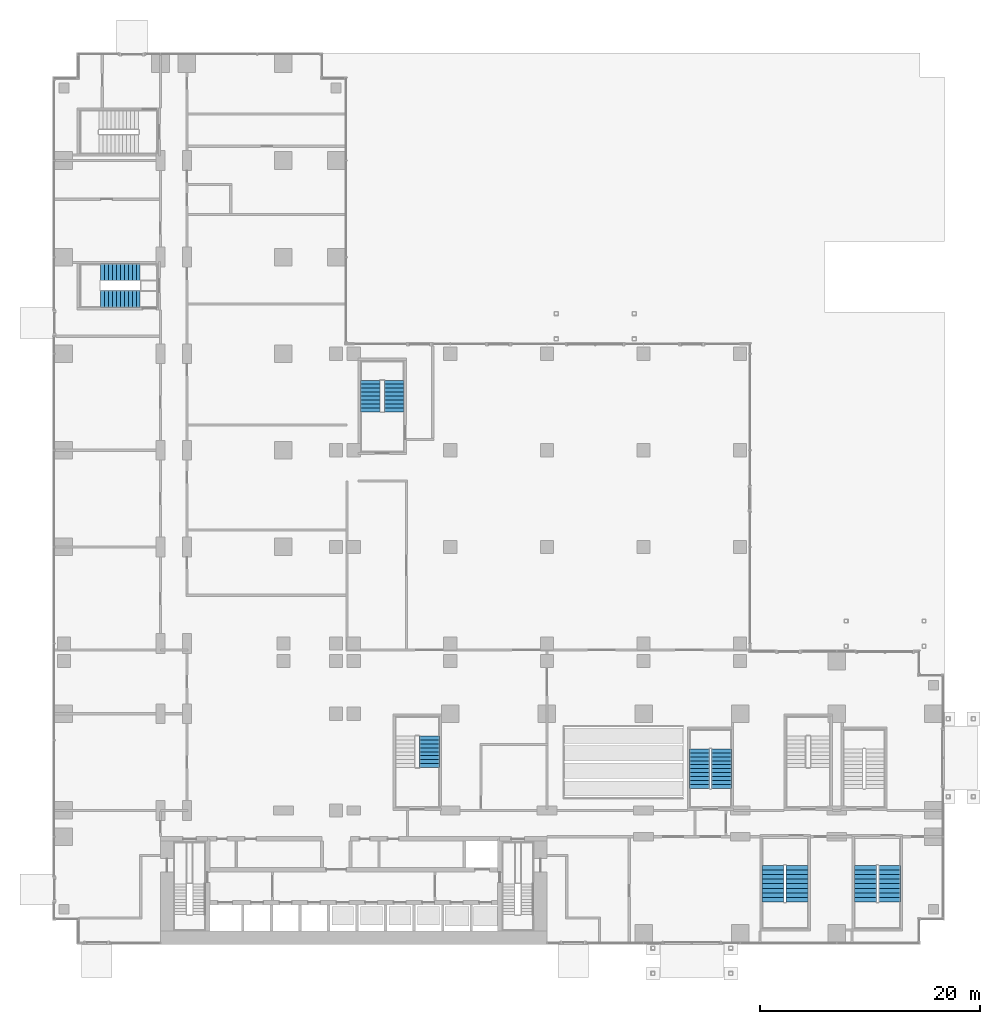
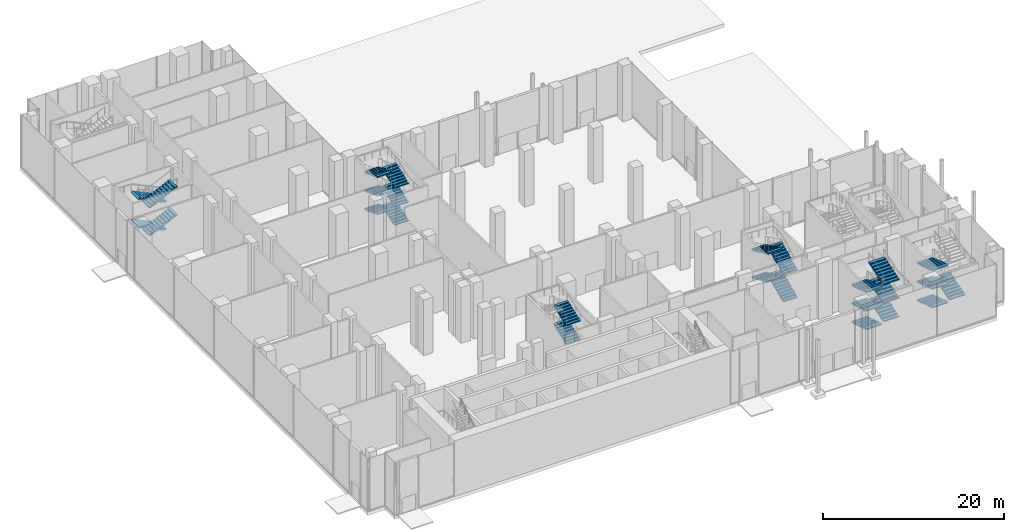
# One storey, part 30 of 41: 26 stair flights, 6 elements without a shape of their own.
"""IFC4 building model written with IfcOpenShell, lengths in metres."""

from ifc_helpers import new_model, si_unit, direction, frame, origin, place, context, subcontext, project, spatial, polyline, outline, extrude, material, type_object, element, aggregate, save


model = new_model("IFC4")

# Units and contexts
model_context = context("Model", 3, precision=1e-05, world=origin(), true_north=direction((0.0, 1.0)))
body_context = subcontext(model_context, "Body", "Model", "MODEL_VIEW")
ifc_project = project(units=[si_unit("LENGTHUNIT", "METRE"), si_unit("AREAUNIT", "SQUARE_METRE"), si_unit("VOLUMEUNIT", "CUBIC_METRE"), si_unit("PLANEANGLEUNIT", "RADIAN"), si_unit("MASSUNIT", "GRAM", prefix="KILO")], contexts=[model_context])

# Site, building, storey
site_placement = place(None, origin())
site = spatial("IfcSite", under=ifc_project, at=site_placement, CompositionType="ELEMENT")
building_placement = place(site_placement, origin())
building = spatial("IfcBuilding", under=site, at=building_placement, Name="Kemantara Hotel Tower", CompositionType="ELEMENT")
storey_placement = place(building_placement, origin())
storey = spatial("IfcBuildingStorey", under=building, at=storey_placement, Name="L00", CompositionType="ELEMENT", Elevation=0.0)

# Stair, stair flights
ifc_material = material(Name="Concrete fc 40 MPa", Category="concrete")
stair_type_1 = type_object("IfcStairType", Name="Stair 1550 wide 44 risers of 170 x 360 mm", PredefinedType="HALF_TURN_STAIR", material=ifc_material)
stair_1_placement = place(storey_placement, origin())
stair_1 = element("IfcStair", 1, at=stair_1_placement, inside=storey, type_object=stair_type_1, Name="L00 Exit stair ST4", PredefinedType="HALF_TURN_STAIR")
stair_flight_type_1 = type_object("IfcStairFlightType", Name="Stair flight 1550 wide 170 x 360 mm", PredefinedType="STRAIGHT", material=ifc_material)
stair_flight_1_placement = place(storey_placement, frame((7.949951171875, 61.22509765625, 0.0), z_axis=(0.0, 0.0, 1.0), x_axis=(-1.0, 0.0, 0.0)))
stair_flight_1 = element("IfcStairFlight", 2, at=stair_flight_1_placement, type_object=stair_flight_type_1, Name="ST4 flight 1", NumberOfRisers=11, NumberOfTreads=10, PredefinedType="STRAIGHT", RiserHeight=0.170454545, TreadLength=0.36, context=body_context, shape_type="SweptSolid", body=[
    extrude(outline(polyline([(0.0, 0.0), (0.0, 0.17041015625), (0.360107421875, 0.17041015625), (0.360107421875, 0.3408203125), (0.719970703125, 0.3408203125), (0.719970703125, 0.511474609375), (1.080078125, 0.511474609375), (1.080078125, 0.681884765625), (1.43994140625, 0.681884765625), (1.43994140625, 0.852294921875), (1.800048828125, 0.852294921875), (1.800048828125, 1.022705078125), (2.159912109375, 1.022705078125), (2.159912109375, 1.193115234375), (2.52001953125, 1.193115234375), (2.52001953125, 1.363525390625), (2.8798828125, 1.363525390625), (2.8798828125, 1.5341796875), (3.239990234375, 1.5341796875), (3.239990234375, 1.70458984375), (3.60009765625, 1.70458984375), (3.60009765625, 1.875), (3.60009765625, 1.53857421875), (0.350341796875, 0.0), (0.0, 0.0)])), frame((0.0, 0.77490234375, 0.0), z_axis=(0.0, -1.0, 0.0), x_axis=(1.0, 0.0, 0.0)), (0.0, 0.0, 1.0), 1.550048828125),
])
stair_flight_2_placement = place(storey_placement, frame((4.35009765625, 58.77490234375, 1.875), z_axis=(0.0, 0.0, 1.0), x_axis=(1.0, 0.0, 0.0)))
stair_flight_2 = element("IfcStairFlight", 3, at=stair_flight_2_placement, type_object=stair_flight_type_1, Name="ST4 flight 2", NumberOfRisers=11, NumberOfTreads=10, PredefinedType="STRAIGHT", RiserHeight=0.170454545, TreadLength=0.36, context=body_context, shape_type="SweptSolid", body=[
    extrude(outline(polyline([(0.0, 0.0), (0.0, 0.17041015625), (0.360107421875, 0.17041015625), (0.360107421875, 0.3408203125), (0.719970703125, 0.3408203125), (0.719970703125, 0.511474609375), (1.080078125, 0.511474609375), (1.080078125, 0.681884765625), (1.43994140625, 0.681884765625), (1.43994140625, 0.852294921875), (1.800048828125, 0.852294921875), (1.800048828125, 1.022705078125), (2.159912109375, 1.022705078125), (2.159912109375, 1.193115234375), (2.52001953125, 1.193115234375), (2.52001953125, 1.363525390625), (2.8798828125, 1.363525390625), (2.8798828125, 1.5341796875), (3.239990234375, 1.5341796875), (3.239990234375, 1.70458984375), (3.60009765625, 1.70458984375), (3.60009765625, 1.875), (3.60009765625, 1.53857421875), (0.350341796875, 0.0), (0.0, 0.0)])), frame((0.0, 0.77490234375, 0.0), z_axis=(0.0, -1.0, 0.0), x_axis=(1.0, 0.0, 0.0)), (0.0, 0.0, 1.0), 1.550048828125),
])
stair_flight_3_placement = place(storey_placement, frame((7.949951171875, 61.22509765625, 3.75), z_axis=(0.0, 0.0, 1.0), x_axis=(-1.0, 0.0, 0.0)))
stair_flight_3 = element("IfcStairFlight", 4, at=stair_flight_3_placement, type_object=stair_flight_type_1, Name="ST4 flight 3", NumberOfRisers=11, NumberOfTreads=10, PredefinedType="STRAIGHT", RiserHeight=0.170454545, TreadLength=0.36, context=body_context, shape_type="SweptSolid", body=[
    extrude(outline(polyline([(0.0, 0.0), (0.0, 0.17041015625), (0.360107421875, 0.17041015625), (0.360107421875, 0.3408203125), (0.719970703125, 0.3408203125), (0.719970703125, 0.511474609375), (1.080078125, 0.511474609375), (1.080078125, 0.681884765625), (1.43994140625, 0.681884765625), (1.43994140625, 0.852294921875), (1.800048828125, 0.852294921875), (1.800048828125, 1.022705078125), (2.159912109375, 1.022705078125), (2.159912109375, 1.193115234375), (2.52001953125, 1.193115234375), (2.52001953125, 1.363525390625), (2.8798828125, 1.363525390625), (2.8798828125, 1.5341796875), (3.239990234375, 1.5341796875), (3.239990234375, 1.70458984375), (3.60009765625, 1.70458984375), (3.60009765625, 1.875), (3.60009765625, 1.53857421875), (0.350341796875, 0.0), (0.0, 0.0)])), frame((0.0, 0.77490234375, 0.0), z_axis=(0.0, -1.0, 0.0), x_axis=(1.0, 0.0, 0.0)), (0.0, 0.0, 1.0), 1.550048828125),
])
stair_flight_4_placement = place(storey_placement, frame((4.35009765625, 58.77490234375, 5.625), z_axis=(0.0, 0.0, 1.0), x_axis=(1.0, 0.0, 0.0)))
stair_flight_4 = element("IfcStairFlight", 5, at=stair_flight_4_placement, type_object=stair_flight_type_1, Name="ST4 flight 4", NumberOfRisers=11, NumberOfTreads=10, PredefinedType="STRAIGHT", RiserHeight=0.170454545, TreadLength=0.36, context=body_context, shape_type="SweptSolid", body=[
    extrude(outline(polyline([(0.0, 0.0), (0.0, 0.17041015625), (0.360107421875, 0.17041015625), (0.360107421875, 0.3408203125), (0.719970703125, 0.3408203125), (0.719970703125, 0.511474609375), (1.080078125, 0.511474609375), (1.080078125, 0.681884765625), (1.43994140625, 0.681884765625), (1.43994140625, 0.852294921875), (1.800048828125, 0.852294921875), (1.800048828125, 1.022705078125), (2.159912109375, 1.022705078125), (2.159912109375, 1.193115234375), (2.52001953125, 1.193115234375), (2.52001953125, 1.363525390625), (2.8798828125, 1.363525390625), (2.8798828125, 1.5341796875), (3.239990234375, 1.5341796875), (3.239990234375, 1.70458984375), (3.60009765625, 1.70458984375), (3.60009765625, 1.875), (3.60009765625, 1.53857421875), (0.350341796875, 0.0), (0.0, 0.0)])), frame((0.0, 0.77490234375, 0.0), z_axis=(0.0, -1.0, 0.0), x_axis=(1.0, 0.0, 0.0)), (0.0, 0.0, 1.0), 1.550048828125),
])
aggregate(stair_1, [stair_flight_1, stair_flight_2, stair_flight_3, stair_flight_4])

stair_type_2 = type_object("IfcStairType", Name="Stair 1800 wide 54 risers of 139 x 360 mm", PredefinedType="HALF_TURN_STAIR", material=ifc_material)
stair_2_placement = place(storey_placement, origin())
stair_2 = element("IfcStair", 6, at=stair_2_placement, inside=storey, type_object=stair_type_2, Name="L00 Stair PS2", PredefinedType="HALF_TURN_STAIR")
stair_flight_type_2 = type_object("IfcStairFlightType", Name="Stair flight 1800 wide 139 x 360 mm", PredefinedType="STRAIGHT", material=ifc_material)
stair_flight_5_placement = place(storey_placement, frame((31.10009765625, 48.5, 0.0), z_axis=(0.0, 0.0, 1.0), x_axis=(0.0, 1.0, 0.0)))
stair_flight_5 = element("IfcStairFlight", 7, at=stair_flight_5_placement, type_object=stair_flight_type_2, Name="PS2 flight 1", NumberOfRisers=9, NumberOfTreads=8, PredefinedType="STRAIGHT", RiserHeight=0.138888889, TreadLength=0.36, context=body_context, shape_type="SweptSolid", body=[
    extrude(outline(polyline([(0.0, 0.0), (0.0, 0.138916015625), (0.360107421875, 0.138916015625), (0.360107421875, 0.27783203125), (0.719970703125, 0.27783203125), (0.719970703125, 0.416748046875), (1.080078125, 0.416748046875), (1.080078125, 0.5556640625), (1.43994140625, 0.5556640625), (1.43994140625, 0.6943359375), (1.800048828125, 0.6943359375), (1.800048828125, 0.833251953125), (2.159912109375, 0.833251953125), (2.159912109375, 0.97216796875), (2.52001953125, 0.97216796875), (2.52001953125, 1.111083984375), (2.8798828125, 1.111083984375), (2.8798828125, 1.25), (2.8798828125, 0.950439453125), (0.41650390625, 0.0), (0.0, 0.0)])), frame((0.0, 0.89990234375, 0.0), z_axis=(0.0, -1.0, 0.0), x_axis=(1.0, 0.0, 0.0)), (0.0, 0.0, 1.0), 1.800048828125),
])
stair_flight_6_placement = place(storey_placement, frame((28.89990234375, 51.3798828125, 1.25), z_axis=(0.0, 0.0, 1.0), x_axis=(0.0, -1.0, 0.0)))
stair_flight_6 = element("IfcStairFlight", 8, at=stair_flight_6_placement, type_object=stair_flight_type_2, Name="PS2 flight 2", NumberOfRisers=9, NumberOfTreads=8, PredefinedType="STRAIGHT", RiserHeight=0.138888889, TreadLength=0.36, context=body_context, shape_type="SweptSolid", body=[
    extrude(outline(polyline([(0.0, 0.0), (0.0, 0.138916015625), (0.360107421875, 0.138916015625), (0.360107421875, 0.27783203125), (0.719970703125, 0.27783203125), (0.719970703125, 0.416748046875), (1.080078125, 0.416748046875), (1.080078125, 0.5556640625), (1.43994140625, 0.5556640625), (1.43994140625, 0.6943359375), (1.800048828125, 0.6943359375), (1.800048828125, 0.833251953125), (2.159912109375, 0.833251953125), (2.159912109375, 0.97216796875), (2.52001953125, 0.97216796875), (2.52001953125, 1.111083984375), (2.8798828125, 1.111083984375), (2.8798828125, 1.25), (2.8798828125, 0.950439453125), (0.41650390625, 0.0), (0.0, 0.0)])), frame((0.0, 0.89990234375, 0.0), z_axis=(0.0, -1.0, 0.0), x_axis=(1.0, 0.0, 0.0)), (0.0, 0.0, 1.0), 1.800048828125),
])
stair_flight_7_placement = place(storey_placement, frame((31.10009765625, 48.5, 2.5), z_axis=(0.0, 0.0, 1.0), x_axis=(0.0, 1.0, 0.0)))
stair_flight_7 = element("IfcStairFlight", 9, at=stair_flight_7_placement, type_object=stair_flight_type_2, Name="PS2 flight 3", NumberOfRisers=9, NumberOfTreads=8, PredefinedType="STRAIGHT", RiserHeight=0.138888889, TreadLength=0.36, context=body_context, shape_type="SweptSolid", body=[
    extrude(outline(polyline([(0.0, 0.0), (0.0, 0.138916015625), (0.360107421875, 0.138916015625), (0.360107421875, 0.27783203125), (0.719970703125, 0.27783203125), (0.719970703125, 0.416748046875), (1.080078125, 0.416748046875), (1.080078125, 0.5556640625), (1.43994140625, 0.5556640625), (1.43994140625, 0.6943359375), (1.800048828125, 0.6943359375), (1.800048828125, 0.833251953125), (2.159912109375, 0.833251953125), (2.159912109375, 0.97216796875), (2.52001953125, 0.97216796875), (2.52001953125, 1.111083984375), (2.8798828125, 1.111083984375), (2.8798828125, 1.25), (2.8798828125, 0.950439453125), (0.41650390625, 0.0), (0.0, 0.0)])), frame((0.0, 0.89990234375, 0.0), z_axis=(0.0, -1.0, 0.0), x_axis=(1.0, 0.0, 0.0)), (0.0, 0.0, 1.0), 1.800048828125),
])
stair_flight_8_placement = place(storey_placement, frame((28.89990234375, 51.3798828125, 3.75), z_axis=(0.0, 0.0, 1.0), x_axis=(0.0, -1.0, 0.0)))
stair_flight_8 = element("IfcStairFlight", 10, at=stair_flight_8_placement, type_object=stair_flight_type_2, Name="PS2 flight 4", NumberOfRisers=9, NumberOfTreads=8, PredefinedType="STRAIGHT", RiserHeight=0.138888889, TreadLength=0.36, context=body_context, shape_type="SweptSolid", body=[
    extrude(outline(polyline([(0.0, 0.0), (0.0, 0.138916015625), (0.360107421875, 0.138916015625), (0.360107421875, 0.27783203125), (0.719970703125, 0.27783203125), (0.719970703125, 0.416748046875), (1.080078125, 0.416748046875), (1.080078125, 0.5556640625), (1.43994140625, 0.5556640625), (1.43994140625, 0.6943359375), (1.800048828125, 0.6943359375), (1.800048828125, 0.833251953125), (2.159912109375, 0.833251953125), (2.159912109375, 0.97216796875), (2.52001953125, 0.97216796875), (2.52001953125, 1.111083984375), (2.8798828125, 1.111083984375), (2.8798828125, 1.25), (2.8798828125, 0.950439453125), (0.41650390625, 0.0), (0.0, 0.0)])), frame((0.0, 0.89990234375, 0.0), z_axis=(0.0, -1.0, 0.0), x_axis=(1.0, 0.0, 0.0)), (0.0, 0.0, 1.0), 1.800048828125),
])
stair_flight_9_placement = place(storey_placement, frame((31.10009765625, 48.5, 5.0), z_axis=(0.0, 0.0, 1.0), x_axis=(0.0, 1.0, 0.0)))
stair_flight_9 = element("IfcStairFlight", 11, at=stair_flight_9_placement, type_object=stair_flight_type_2, Name="PS2 flight 5", NumberOfRisers=9, NumberOfTreads=8, PredefinedType="STRAIGHT", RiserHeight=0.138888889, TreadLength=0.36, context=body_context, shape_type="SweptSolid", body=[
    extrude(outline(polyline([(0.0, 0.0), (0.0, 0.138916015625), (0.360107421875, 0.138916015625), (0.360107421875, 0.27783203125), (0.719970703125, 0.27783203125), (0.719970703125, 0.416748046875), (1.080078125, 0.416748046875), (1.080078125, 0.5556640625), (1.43994140625, 0.5556640625), (1.43994140625, 0.6943359375), (1.800048828125, 0.6943359375), (1.800048828125, 0.833251953125), (2.159912109375, 0.833251953125), (2.159912109375, 0.97216796875), (2.52001953125, 0.97216796875), (2.52001953125, 1.111083984375), (2.8798828125, 1.111083984375), (2.8798828125, 1.25), (2.8798828125, 0.950439453125), (0.41650390625, 0.0), (0.0, 0.0)])), frame((0.0, 0.89990234375, 0.0), z_axis=(0.0, -1.0, 0.0), x_axis=(1.0, 0.0, 0.0)), (0.0, 0.0, 1.0), 1.800048828125),
])
stair_flight_10_placement = place(storey_placement, frame((28.89990234375, 51.3798828125, 6.25), z_axis=(0.0, 0.0, 1.0), x_axis=(0.0, -1.0, 0.0)))
stair_flight_10 = element("IfcStairFlight", 12, at=stair_flight_10_placement, type_object=stair_flight_type_2, Name="PS2 flight 6", NumberOfRisers=9, NumberOfTreads=8, PredefinedType="STRAIGHT", RiserHeight=0.138888889, TreadLength=0.36, context=body_context, shape_type="SweptSolid", body=[
    extrude(outline(polyline([(0.0, 0.0), (0.0, 0.138916015625), (0.360107421875, 0.138916015625), (0.360107421875, 0.27783203125), (0.719970703125, 0.27783203125), (0.719970703125, 0.416748046875), (1.080078125, 0.416748046875), (1.080078125, 0.5556640625), (1.43994140625, 0.5556640625), (1.43994140625, 0.6943359375), (1.800048828125, 0.6943359375), (1.800048828125, 0.833251953125), (2.159912109375, 0.833251953125), (2.159912109375, 0.97216796875), (2.52001953125, 0.97216796875), (2.52001953125, 1.111083984375), (2.8798828125, 1.111083984375), (2.8798828125, 1.25), (2.8798828125, 0.950439453125), (0.41650390625, 0.0), (0.0, 0.0)])), frame((0.0, 0.89990234375, 0.0), z_axis=(0.0, -1.0, 0.0), x_axis=(1.0, 0.0, 0.0)), (0.0, 0.0, 1.0), 1.800048828125),
])
aggregate(stair_2, [stair_flight_5, stair_flight_6, stair_flight_7, stair_flight_8, stair_flight_9, stair_flight_10])

stair_3_placement = place(storey_placement, origin())
stair_3 = element("IfcStair", 13, at=stair_3_placement, inside=storey, type_object=stair_type_2, Name="L00 Stair PS3", PredefinedType="HALF_TURN_STAIR")
stair_flight_11_placement = place(storey_placement, frame((34.300048828125, 16.10009765625, 2.5), z_axis=(0.0, 0.0, 1.0), x_axis=(0.0, 1.0, 0.0)))
stair_flight_11 = element("IfcStairFlight", 14, at=stair_flight_11_placement, type_object=stair_flight_type_2, Name="PS3 flight 3", NumberOfRisers=9, NumberOfTreads=8, PredefinedType="STRAIGHT", RiserHeight=0.138888889, TreadLength=0.36, context=body_context, shape_type="SweptSolid", body=[
    extrude(outline(polyline([(0.0, 0.0), (0.0, 0.138916015625), (0.360107421875, 0.138916015625), (0.360107421875, 0.27783203125), (0.719970703125, 0.27783203125), (0.719970703125, 0.416748046875), (1.080078125, 0.416748046875), (1.080078125, 0.5556640625), (1.43994140625, 0.5556640625), (1.43994140625, 0.6943359375), (1.800048828125, 0.6943359375), (1.800048828125, 0.833251953125), (2.159912109375, 0.833251953125), (2.159912109375, 0.97216796875), (2.52001953125, 0.97216796875), (2.52001953125, 1.111083984375), (2.8798828125, 1.111083984375), (2.8798828125, 1.25), (2.8798828125, 0.950439453125), (0.41650390625, 0.0), (0.0, 0.0)])), frame((0.0, 0.89990234375, 0.0), z_axis=(0.0, -1.0, 0.0), x_axis=(1.0, 0.0, 0.0)), (0.0, 0.0, 1.0), 1.800048828125),
])
stair_flight_12_placement = place(storey_placement, frame((34.300048828125, 16.10009765625, 5.0), z_axis=(0.0, 0.0, 1.0), x_axis=(0.0, 1.0, 0.0)))
stair_flight_12 = element("IfcStairFlight", 15, at=stair_flight_12_placement, type_object=stair_flight_type_2, Name="PS3 flight 5", NumberOfRisers=9, NumberOfTreads=8, PredefinedType="STRAIGHT", RiserHeight=0.138888889, TreadLength=0.36, context=body_context, shape_type="SweptSolid", body=[
    extrude(outline(polyline([(0.0, 0.0), (0.0, 0.138916015625), (0.360107421875, 0.138916015625), (0.360107421875, 0.27783203125), (0.719970703125, 0.27783203125), (0.719970703125, 0.416748046875), (1.080078125, 0.416748046875), (1.080078125, 0.5556640625), (1.43994140625, 0.5556640625), (1.43994140625, 0.6943359375), (1.800048828125, 0.6943359375), (1.800048828125, 0.833251953125), (2.159912109375, 0.833251953125), (2.159912109375, 0.97216796875), (2.52001953125, 0.97216796875), (2.52001953125, 1.111083984375), (2.8798828125, 1.111083984375), (2.8798828125, 1.25), (2.8798828125, 0.950439453125), (0.41650390625, 0.0), (0.0, 0.0)])), frame((0.0, 0.89990234375, 0.0), z_axis=(0.0, -1.0, 0.0), x_axis=(1.0, 0.0, 0.0)), (0.0, 0.0, 1.0), 1.800048828125),
])
aggregate(stair_3, [stair_flight_11, stair_flight_12])

stair_type_3 = type_object("IfcStairType", Name="Stair 1800 wide 44 risers of 170 x 360 mm", PredefinedType="HALF_TURN_STAIR", material=ifc_material)
stair_4_placement = place(storey_placement, origin())
stair_4 = element("IfcStair", 16, at=stair_4_placement, inside=storey, type_object=stair_type_3, Name="L00 Exit stair ST3", PredefinedType="HALF_TURN_STAIR")
stair_flight_type_3 = type_object("IfcStairFlightType", Name="Stair flight 1800 wide 170 x 360 mm", PredefinedType="STRAIGHT", material=ifc_material)
stair_flight_13_placement = place(storey_placement, frame((60.89990234375, 14.199951171875, 0.0), z_axis=(0.0, 0.0, 1.0), x_axis=(0.0, 1.0, 0.0)))
stair_flight_13 = element("IfcStairFlight", 17, at=stair_flight_13_placement, type_object=stair_flight_type_3, Name="ST3 flight 1", NumberOfRisers=11, NumberOfTreads=10, PredefinedType="STRAIGHT", RiserHeight=0.170454545, TreadLength=0.36, context=body_context, shape_type="SweptSolid", body=[
    extrude(outline(polyline([(0.0, 0.0), (0.0, 0.17041015625), (0.360107421875, 0.17041015625), (0.360107421875, 0.3408203125), (0.719970703125, 0.3408203125), (0.719970703125, 0.511474609375), (1.080078125, 0.511474609375), (1.080078125, 0.681884765625), (1.43994140625, 0.681884765625), (1.43994140625, 0.852294921875), (1.800048828125, 0.852294921875), (1.800048828125, 1.022705078125), (2.159912109375, 1.022705078125), (2.159912109375, 1.193115234375), (2.52001953125, 1.193115234375), (2.52001953125, 1.363525390625), (2.8798828125, 1.363525390625), (2.8798828125, 1.5341796875), (3.239990234375, 1.5341796875), (3.239990234375, 1.70458984375), (3.60009765625, 1.70458984375), (3.60009765625, 1.875), (3.60009765625, 1.53857421875), (0.350341796875, 0.0), (0.0, 0.0)])), frame((0.0, 0.89990234375, 0.0), z_axis=(0.0, -1.0, 0.0), x_axis=(1.0, 0.0, 0.0)), (0.0, 0.0, 1.0), 1.800048828125),
])
stair_flight_14_placement = place(storey_placement, frame((58.89990234375, 17.800048828125, 1.875), z_axis=(0.0, 0.0, 1.0), x_axis=(0.0, -1.0, 0.0)))
stair_flight_14 = element("IfcStairFlight", 18, at=stair_flight_14_placement, type_object=stair_flight_type_3, Name="ST3 flight 2", NumberOfRisers=11, NumberOfTreads=10, PredefinedType="STRAIGHT", RiserHeight=0.170454545, TreadLength=0.36, context=body_context, shape_type="SweptSolid", body=[
    extrude(outline(polyline([(0.0, 0.0), (0.0, 0.17041015625), (0.360107421875, 0.17041015625), (0.360107421875, 0.3408203125), (0.719970703125, 0.3408203125), (0.719970703125, 0.511474609375), (1.080078125, 0.511474609375), (1.080078125, 0.681884765625), (1.43994140625, 0.681884765625), (1.43994140625, 0.852294921875), (1.800048828125, 0.852294921875), (1.800048828125, 1.022705078125), (2.159912109375, 1.022705078125), (2.159912109375, 1.193115234375), (2.52001953125, 1.193115234375), (2.52001953125, 1.363525390625), (2.8798828125, 1.363525390625), (2.8798828125, 1.5341796875), (3.239990234375, 1.5341796875), (3.239990234375, 1.70458984375), (3.60009765625, 1.70458984375), (3.60009765625, 1.875), (3.60009765625, 1.53857421875), (0.350341796875, 0.0), (0.0, 0.0)])), frame((0.0, 0.89990234375, 0.0), z_axis=(0.0, -1.0, 0.0), x_axis=(1.0, 0.0, 0.0)), (0.0, 0.0, 1.0), 1.800048828125),
])
stair_flight_15_placement = place(storey_placement, frame((60.89990234375, 14.199951171875, 3.75), z_axis=(0.0, 0.0, 1.0), x_axis=(0.0, 1.0, 0.0)))
stair_flight_15 = element("IfcStairFlight", 19, at=stair_flight_15_placement, type_object=stair_flight_type_3, Name="ST3 flight 3", NumberOfRisers=11, NumberOfTreads=10, PredefinedType="STRAIGHT", RiserHeight=0.170454545, TreadLength=0.36, context=body_context, shape_type="SweptSolid", body=[
    extrude(outline(polyline([(0.0, 0.0), (0.0, 0.17041015625), (0.360107421875, 0.17041015625), (0.360107421875, 0.3408203125), (0.719970703125, 0.3408203125), (0.719970703125, 0.511474609375), (1.080078125, 0.511474609375), (1.080078125, 0.681884765625), (1.43994140625, 0.681884765625), (1.43994140625, 0.852294921875), (1.800048828125, 0.852294921875), (1.800048828125, 1.022705078125), (2.159912109375, 1.022705078125), (2.159912109375, 1.193115234375), (2.52001953125, 1.193115234375), (2.52001953125, 1.363525390625), (2.8798828125, 1.363525390625), (2.8798828125, 1.5341796875), (3.239990234375, 1.5341796875), (3.239990234375, 1.70458984375), (3.60009765625, 1.70458984375), (3.60009765625, 1.875), (3.60009765625, 1.53857421875), (0.350341796875, 0.0), (0.0, 0.0)])), frame((0.0, 0.89990234375, 0.0), z_axis=(0.0, -1.0, 0.0), x_axis=(1.0, 0.0, 0.0)), (0.0, 0.0, 1.0), 1.800048828125),
])
stair_flight_16_placement = place(storey_placement, frame((58.89990234375, 17.800048828125, 5.625), z_axis=(0.0, 0.0, 1.0), x_axis=(0.0, -1.0, 0.0)))
stair_flight_16 = element("IfcStairFlight", 20, at=stair_flight_16_placement, type_object=stair_flight_type_3, Name="ST3 flight 4", NumberOfRisers=11, NumberOfTreads=10, PredefinedType="STRAIGHT", RiserHeight=0.170454545, TreadLength=0.36, context=body_context, shape_type="SweptSolid", body=[
    extrude(outline(polyline([(0.0, 0.0), (0.0, 0.17041015625), (0.360107421875, 0.17041015625), (0.360107421875, 0.3408203125), (0.719970703125, 0.3408203125), (0.719970703125, 0.511474609375), (1.080078125, 0.511474609375), (1.080078125, 0.681884765625), (1.43994140625, 0.681884765625), (1.43994140625, 0.852294921875), (1.800048828125, 0.852294921875), (1.800048828125, 1.022705078125), (2.159912109375, 1.022705078125), (2.159912109375, 1.193115234375), (2.52001953125, 1.193115234375), (2.52001953125, 1.363525390625), (2.8798828125, 1.363525390625), (2.8798828125, 1.5341796875), (3.239990234375, 1.5341796875), (3.239990234375, 1.70458984375), (3.60009765625, 1.70458984375), (3.60009765625, 1.875), (3.60009765625, 1.53857421875), (0.350341796875, 0.0), (0.0, 0.0)])), frame((0.0, 0.89990234375, 0.0), z_axis=(0.0, -1.0, 0.0), x_axis=(1.0, 0.0, 0.0)), (0.0, 0.0, 1.0), 1.800048828125),
])
aggregate(stair_4, [stair_flight_13, stair_flight_14, stair_flight_15, stair_flight_16])

stair_type_4 = type_object("IfcStairType", Name="Stair 2000 wide 54 risers of 139 x 420 mm", PredefinedType="HALF_TURN_STAIR", material=ifc_material)
stair_5_placement = place(storey_placement, origin())
stair_5 = element("IfcStair", 21, at=stair_5_placement, inside=storey, type_object=stair_type_4, Name="L00 Stair PS4", PredefinedType="HALF_TURN_STAIR")
stair_flight_type_4 = type_object("IfcStairFlightType", Name="Stair flight 2000 wide 139 x 420 mm", PredefinedType="STRAIGHT", material=ifc_material)
stair_flight_17_placement = place(storey_placement, frame((65.60009765625, 7.199951171875, 0.0), z_axis=(0.0, 0.0, 1.0), x_axis=(0.0, -1.0, 0.0)))
stair_flight_17 = element("IfcStairFlight", 22, at=stair_flight_17_placement, type_object=stair_flight_type_4, Name="PS4 flight 1", NumberOfRisers=9, NumberOfTreads=8, PredefinedType="STRAIGHT", RiserHeight=0.138888889, TreadLength=0.42, context=body_context, shape_type="SweptSolid", body=[
    extrude(outline(polyline([(0.0, 0.0), (0.0, 0.138916015625), (0.419921875, 0.138916015625), (0.419921875, 0.27783203125), (0.840087890625, 0.27783203125), (0.840087890625, 0.416748046875), (1.260009765625, 0.416748046875), (1.260009765625, 0.5556640625), (1.679931640625, 0.5556640625), (1.679931640625, 0.6943359375), (2.10009765625, 0.6943359375), (2.10009765625, 0.833251953125), (2.52001953125, 0.833251953125), (2.52001953125, 0.97216796875), (2.93994140625, 0.97216796875), (2.93994140625, 1.111083984375), (3.360107421875, 1.111083984375), (3.360107421875, 1.25), (3.360107421875, 0.953125), (0.4775390625, 0.0), (0.0, 0.0)])), frame((0.0, 1.0, 0.0), z_axis=(0.0, -1.0, 0.0), x_axis=(1.0, 0.0, 0.0)), (0.0, 0.0, 1.0), 2.0),
])
stair_flight_18_placement = place(storey_placement, frame((67.800048828125, 3.840087890625, 1.25), z_axis=(0.0, 0.0, 1.0), x_axis=(0.0, 1.0, 0.0)))
stair_flight_18 = element("IfcStairFlight", 23, at=stair_flight_18_placement, type_object=stair_flight_type_4, Name="PS4 flight 2", NumberOfRisers=9, NumberOfTreads=8, PredefinedType="STRAIGHT", RiserHeight=0.138888889, TreadLength=0.42, context=body_context, shape_type="SweptSolid", body=[
    extrude(outline(polyline([(0.0, 0.0), (0.0, 0.138916015625), (0.419921875, 0.138916015625), (0.419921875, 0.27783203125), (0.840087890625, 0.27783203125), (0.840087890625, 0.416748046875), (1.260009765625, 0.416748046875), (1.260009765625, 0.5556640625), (1.679931640625, 0.5556640625), (1.679931640625, 0.6943359375), (2.10009765625, 0.6943359375), (2.10009765625, 0.833251953125), (2.52001953125, 0.833251953125), (2.52001953125, 0.97216796875), (2.93994140625, 0.97216796875), (2.93994140625, 1.111083984375), (3.360107421875, 1.111083984375), (3.360107421875, 1.25), (3.360107421875, 0.953125), (0.4775390625, 0.0), (0.0, 0.0)])), frame((0.0, 1.0, 0.0), z_axis=(0.0, -1.0, 0.0), x_axis=(1.0, 0.0, 0.0)), (0.0, 0.0, 1.0), 2.0),
])
stair_flight_19_placement = place(storey_placement, frame((65.60009765625, 7.199951171875, 2.5), z_axis=(0.0, 0.0, 1.0), x_axis=(0.0, -1.0, 0.0)))
stair_flight_19 = element("IfcStairFlight", 24, at=stair_flight_19_placement, type_object=stair_flight_type_4, Name="PS4 flight 3", NumberOfRisers=9, NumberOfTreads=8, PredefinedType="STRAIGHT", RiserHeight=0.138888889, TreadLength=0.42, context=body_context, shape_type="SweptSolid", body=[
    extrude(outline(polyline([(0.0, 0.0), (0.0, 0.138916015625), (0.419921875, 0.138916015625), (0.419921875, 0.27783203125), (0.840087890625, 0.27783203125), (0.840087890625, 0.416748046875), (1.260009765625, 0.416748046875), (1.260009765625, 0.5556640625), (1.679931640625, 0.5556640625), (1.679931640625, 0.6943359375), (2.10009765625, 0.6943359375), (2.10009765625, 0.833251953125), (2.52001953125, 0.833251953125), (2.52001953125, 0.97216796875), (2.93994140625, 0.97216796875), (2.93994140625, 1.111083984375), (3.360107421875, 1.111083984375), (3.360107421875, 1.25), (3.360107421875, 0.953125), (0.4775390625, 0.0), (0.0, 0.0)])), frame((0.0, 1.0, 0.0), z_axis=(0.0, -1.0, 0.0), x_axis=(1.0, 0.0, 0.0)), (0.0, 0.0, 1.0), 2.0),
])
stair_flight_20_placement = place(storey_placement, frame((67.800048828125, 3.840087890625, 3.75), z_axis=(0.0, 0.0, 1.0), x_axis=(0.0, 1.0, 0.0)))
stair_flight_20 = element("IfcStairFlight", 25, at=stair_flight_20_placement, type_object=stair_flight_type_4, Name="PS4 flight 4", NumberOfRisers=9, NumberOfTreads=8, PredefinedType="STRAIGHT", RiserHeight=0.138888889, TreadLength=0.42, context=body_context, shape_type="SweptSolid", body=[
    extrude(outline(polyline([(0.0, 0.0), (0.0, 0.138916015625), (0.419921875, 0.138916015625), (0.419921875, 0.27783203125), (0.840087890625, 0.27783203125), (0.840087890625, 0.416748046875), (1.260009765625, 0.416748046875), (1.260009765625, 0.5556640625), (1.679931640625, 0.5556640625), (1.679931640625, 0.6943359375), (2.10009765625, 0.6943359375), (2.10009765625, 0.833251953125), (2.52001953125, 0.833251953125), (2.52001953125, 0.97216796875), (2.93994140625, 0.97216796875), (2.93994140625, 1.111083984375), (3.360107421875, 1.111083984375), (3.360107421875, 1.25), (3.360107421875, 0.953125), (0.4775390625, 0.0), (0.0, 0.0)])), frame((0.0, 1.0, 0.0), z_axis=(0.0, -1.0, 0.0), x_axis=(1.0, 0.0, 0.0)), (0.0, 0.0, 1.0), 2.0),
])
stair_flight_21_placement = place(storey_placement, frame((65.60009765625, 7.199951171875, 5.0), z_axis=(0.0, 0.0, 1.0), x_axis=(0.0, -1.0, 0.0)))
stair_flight_21 = element("IfcStairFlight", 26, at=stair_flight_21_placement, type_object=stair_flight_type_4, Name="PS4 flight 5", NumberOfRisers=9, NumberOfTreads=8, PredefinedType="STRAIGHT", RiserHeight=0.138888889, TreadLength=0.42, context=body_context, shape_type="SweptSolid", body=[
    extrude(outline(polyline([(0.0, 0.0), (0.0, 0.138916015625), (0.419921875, 0.138916015625), (0.419921875, 0.27783203125), (0.840087890625, 0.27783203125), (0.840087890625, 0.416748046875), (1.260009765625, 0.416748046875), (1.260009765625, 0.5556640625), (1.679931640625, 0.5556640625), (1.679931640625, 0.6943359375), (2.10009765625, 0.6943359375), (2.10009765625, 0.833251953125), (2.52001953125, 0.833251953125), (2.52001953125, 0.97216796875), (2.93994140625, 0.97216796875), (2.93994140625, 1.111083984375), (3.360107421875, 1.111083984375), (3.360107421875, 1.25), (3.360107421875, 0.953125), (0.4775390625, 0.0), (0.0, 0.0)])), frame((0.0, 1.0, 0.0), z_axis=(0.0, -1.0, 0.0), x_axis=(1.0, 0.0, 0.0)), (0.0, 0.0, 1.0), 2.0),
])
stair_flight_22_placement = place(storey_placement, frame((67.800048828125, 3.840087890625, 6.25), z_axis=(0.0, 0.0, 1.0), x_axis=(0.0, 1.0, 0.0)))
stair_flight_22 = element("IfcStairFlight", 27, at=stair_flight_22_placement, type_object=stair_flight_type_4, Name="PS4 flight 6", NumberOfRisers=9, NumberOfTreads=8, PredefinedType="STRAIGHT", RiserHeight=0.138888889, TreadLength=0.42, context=body_context, shape_type="SweptSolid", body=[
    extrude(outline(polyline([(0.0, 0.0), (0.0, 0.138916015625), (0.419921875, 0.138916015625), (0.419921875, 0.27783203125), (0.840087890625, 0.27783203125), (0.840087890625, 0.416748046875), (1.260009765625, 0.416748046875), (1.260009765625, 0.5556640625), (1.679931640625, 0.5556640625), (1.679931640625, 0.6943359375), (2.10009765625, 0.6943359375), (2.10009765625, 0.833251953125), (2.52001953125, 0.833251953125), (2.52001953125, 0.97216796875), (2.93994140625, 0.97216796875), (2.93994140625, 1.111083984375), (3.360107421875, 1.111083984375), (3.360107421875, 1.25), (3.360107421875, 0.953125), (0.4775390625, 0.0), (0.0, 0.0)])), frame((0.0, 1.0, 0.0), z_axis=(0.0, -1.0, 0.0), x_axis=(1.0, 0.0, 0.0)), (0.0, 0.0, 1.0), 2.0),
])
aggregate(stair_5, [stair_flight_17, stair_flight_18, stair_flight_19, stair_flight_20, stair_flight_21, stair_flight_22])

stair_6_placement = place(storey_placement, origin())
stair_6 = element("IfcStair", 28, at=stair_6_placement, inside=storey, type_object=stair_type_4, Name="L00 Stair PS5", PredefinedType="HALF_TURN_STAIR")
stair_flight_23_placement = place(storey_placement, frame((74.0, 7.199951171875, 0.0), z_axis=(0.0, 0.0, 1.0), x_axis=(0.0, -1.0, 0.0)))
stair_flight_23 = element("IfcStairFlight", 29, at=stair_flight_23_placement, type_object=stair_flight_type_4, Name="PS5 flight 1", NumberOfRisers=9, NumberOfTreads=8, PredefinedType="STRAIGHT", RiserHeight=0.138888889, TreadLength=0.42, context=body_context, shape_type="SweptSolid", body=[
    extrude(outline(polyline([(0.0, 0.0), (0.0, 0.138916015625), (0.419921875, 0.138916015625), (0.419921875, 0.27783203125), (0.840087890625, 0.27783203125), (0.840087890625, 0.416748046875), (1.260009765625, 0.416748046875), (1.260009765625, 0.5556640625), (1.679931640625, 0.5556640625), (1.679931640625, 0.6943359375), (2.10009765625, 0.6943359375), (2.10009765625, 0.833251953125), (2.52001953125, 0.833251953125), (2.52001953125, 0.97216796875), (2.93994140625, 0.97216796875), (2.93994140625, 1.111083984375), (3.360107421875, 1.111083984375), (3.360107421875, 1.25), (3.360107421875, 0.953125), (0.4775390625, 0.0), (0.0, 0.0)])), frame((0.0, 1.0, 0.0), z_axis=(0.0, -1.0, 0.0), x_axis=(1.0, 0.0, 0.0)), (0.0, 0.0, 1.0), 2.0),
])
stair_flight_24_placement = place(storey_placement, frame((76.199951171875, 3.840087890625, 1.25), z_axis=(0.0, 0.0, 1.0), x_axis=(0.0, 1.0, 0.0)))
stair_flight_24 = element("IfcStairFlight", 30, at=stair_flight_24_placement, type_object=stair_flight_type_4, Name="PS5 flight 2", NumberOfRisers=9, NumberOfTreads=8, PredefinedType="STRAIGHT", RiserHeight=0.138888889, TreadLength=0.42, context=body_context, shape_type="SweptSolid", body=[
    extrude(outline(polyline([(0.0, 0.0), (0.0, 0.138916015625), (0.419921875, 0.138916015625), (0.419921875, 0.27783203125), (0.840087890625, 0.27783203125), (0.840087890625, 0.416748046875), (1.260009765625, 0.416748046875), (1.260009765625, 0.5556640625), (1.679931640625, 0.5556640625), (1.679931640625, 0.6943359375), (2.10009765625, 0.6943359375), (2.10009765625, 0.833251953125), (2.52001953125, 0.833251953125), (2.52001953125, 0.97216796875), (2.93994140625, 0.97216796875), (2.93994140625, 1.111083984375), (3.360107421875, 1.111083984375), (3.360107421875, 1.25), (3.360107421875, 0.953125), (0.4775390625, 0.0), (0.0, 0.0)])), frame((0.0, 1.0, 0.0), z_axis=(0.0, -1.0, 0.0), x_axis=(1.0, 0.0, 0.0)), (0.0, 0.0, 1.0), 2.0),
])
stair_flight_25_placement = place(storey_placement, frame((74.0, 7.199951171875, 2.5), z_axis=(0.0, 0.0, 1.0), x_axis=(0.0, -1.0, 0.0)))
stair_flight_25 = element("IfcStairFlight", 31, at=stair_flight_25_placement, type_object=stair_flight_type_4, Name="PS5 flight 3", NumberOfRisers=9, NumberOfTreads=8, PredefinedType="STRAIGHT", RiserHeight=0.138888889, TreadLength=0.42, context=body_context, shape_type="SweptSolid", body=[
    extrude(outline(polyline([(0.0, 0.0), (0.0, 0.138916015625), (0.419921875, 0.138916015625), (0.419921875, 0.27783203125), (0.840087890625, 0.27783203125), (0.840087890625, 0.416748046875), (1.260009765625, 0.416748046875), (1.260009765625, 0.5556640625), (1.679931640625, 0.5556640625), (1.679931640625, 0.6943359375), (2.10009765625, 0.6943359375), (2.10009765625, 0.833251953125), (2.52001953125, 0.833251953125), (2.52001953125, 0.97216796875), (2.93994140625, 0.97216796875), (2.93994140625, 1.111083984375), (3.360107421875, 1.111083984375), (3.360107421875, 1.25), (3.360107421875, 0.953125), (0.4775390625, 0.0), (0.0, 0.0)])), frame((0.0, 1.0, 0.0), z_axis=(0.0, -1.0, 0.0), x_axis=(1.0, 0.0, 0.0)), (0.0, 0.0, 1.0), 2.0),
])
stair_flight_26_placement = place(storey_placement, frame((74.0, 7.199951171875, 5.0), z_axis=(0.0, 0.0, 1.0), x_axis=(0.0, -1.0, 0.0)))
stair_flight_26 = element("IfcStairFlight", 32, at=stair_flight_26_placement, type_object=stair_flight_type_4, Name="PS5 flight 5", NumberOfRisers=9, NumberOfTreads=8, PredefinedType="STRAIGHT", RiserHeight=0.138888889, TreadLength=0.42, context=body_context, shape_type="SweptSolid", body=[
    extrude(outline(polyline([(0.0, 0.0), (0.0, 0.138916015625), (0.419921875, 0.138916015625), (0.419921875, 0.27783203125), (0.840087890625, 0.27783203125), (0.840087890625, 0.416748046875), (1.260009765625, 0.416748046875), (1.260009765625, 0.5556640625), (1.679931640625, 0.5556640625), (1.679931640625, 0.6943359375), (2.10009765625, 0.6943359375), (2.10009765625, 0.833251953125), (2.52001953125, 0.833251953125), (2.52001953125, 0.97216796875), (2.93994140625, 0.97216796875), (2.93994140625, 1.111083984375), (3.360107421875, 1.111083984375), (3.360107421875, 1.25), (3.360107421875, 0.953125), (0.4775390625, 0.0), (0.0, 0.0)])), frame((0.0, 1.0, 0.0), z_axis=(0.0, -1.0, 0.0), x_axis=(1.0, 0.0, 0.0)), (0.0, 0.0, 1.0), 2.0),
])
aggregate(stair_6, [stair_flight_23, stair_flight_24, stair_flight_25, stair_flight_26])

save(model, "model.ifc")
